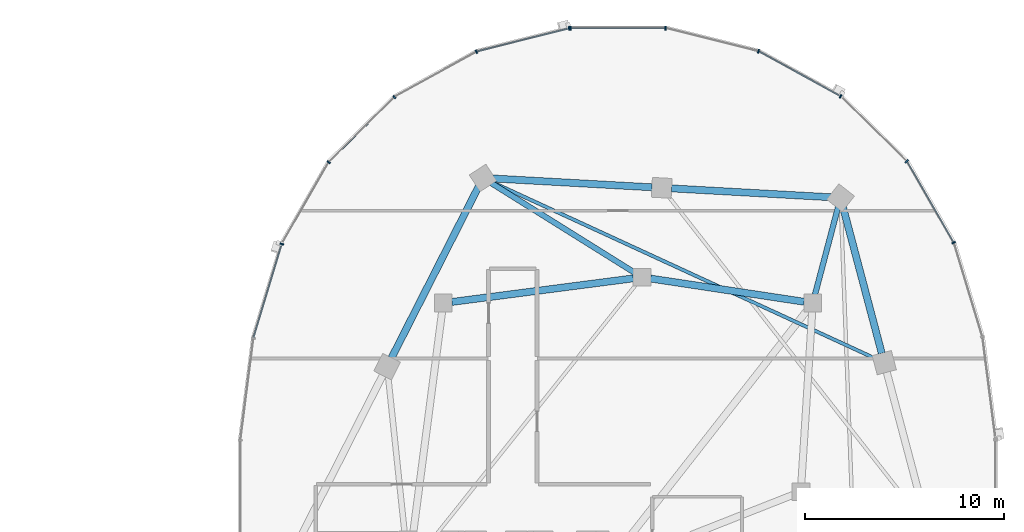
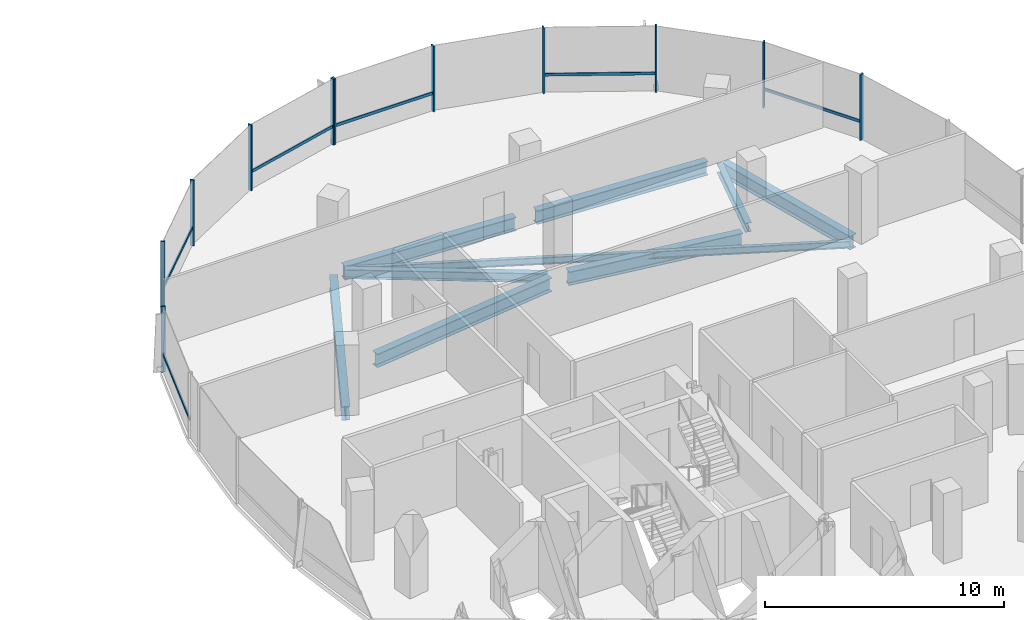
# One storey, part 9 of 23: 17 members, 9 beams, 2 elements without a shape of their own.
"""IFC4 building model written with IfcOpenShell, lengths in metres."""

from ifc_helpers import new_model, si_unit, direction, frame, origin, origin_2d, place, context, subcontext, project, spatial, rectangle, i_section, extrude, material, material_profile, profile_set, type_object, element, aggregate, save


model = new_model("IFC4")

# Units and contexts
model_context = context("Model", 3, precision=1e-05, world=origin(), true_north=direction((0.0, 1.0)))
body_context = subcontext(model_context, "Body", "Model", "MODEL_VIEW")
ifc_project = project(units=[si_unit("LENGTHUNIT", "METRE"), si_unit("AREAUNIT", "SQUARE_METRE"), si_unit("VOLUMEUNIT", "CUBIC_METRE"), si_unit("PLANEANGLEUNIT", "RADIAN"), si_unit("MASSUNIT", "GRAM", prefix="KILO"), si_unit("THERMODYNAMICTEMPERATUREUNIT", "KELVIN"), si_unit("POWERUNIT", "WATT")], contexts=[model_context])

# Site, building, storey
site_placement = place(None, origin())
site = spatial("IfcSite", under=ifc_project, at=site_placement, CompositionType="ELEMENT")
building_placement = place(site_placement, origin())
building = spatial("IfcBuilding", under=site, at=building_placement, Name="Cundina Bronze Exchange", CompositionType="ELEMENT")
storey_placement = place(building_placement, frame((0.0, 0.0, 172.800048828125)))
storey = spatial("IfcBuildingStorey", under=building, at=storey_placement, Name="L45", CompositionType="ELEMENT", Elevation=172.800048828125)

# Beams
ifc_material_1 = material(Name="Steel ASTM A992 Grade 50", Category="steel")
ifc_material_profile_1 = material_profile(ifc_material_1, i_section(OverallWidth=0.280029296875, OverallDepth=0.462890625, WebThickness=0.0107421875, FlangeThickness=0.017333984375, FilletRadius=0.011962890625, at=origin_2d()), Name="W18X76", Category="steel")
ifc_profile_set_1 = profile_set([ifc_material_profile_1], Name="Steel ASTM A992 Grade 50")
beam_type_1 = type_object("IfcBeamType", Name="BM-FLR-W18A", PredefinedType="BEAM", material=ifc_profile_set_1)
beam_1_placement = place(storey_placement, frame((41.911865234375, 9.923583984375, -0.471435546875), z_axis=(0.255413807463, 0.966831829719, 0.0), x_axis=(-0.966831829719, 0.255413807463, 0.0)))
element("IfcBeam", 1, at=beam_1_placement, inside=storey, type_object=beam_type_1, Name="L45 Leg E Chordal Floor Beam 10", PredefinedType="BEAM", context=body_context, shape_type="SweptSolid", body=[
    extrude(i_section(OverallWidth=0.280029296875, OverallDepth=0.462890625, WebThickness=0.0107421875, FlangeThickness=0.017333984375, FilletRadius=0.011962890625, at=origin_2d()), origin(), (0.0, 0.0, 1.0), 4.5556640625),
])
beam_2_placement = place(storey_placement, frame((32.82861328125, 11.031982421875, -0.471435546875), z_axis=(-0.847985407265, 0.530019574228, 0.0), x_axis=(-0.530019574228, -0.847985407265, 0.0)))
element("IfcBeam", 2, at=beam_2_placement, inside=storey, type_object=beam_type_1, Name="L45 Leg E Chordal Floor Beam 12", PredefinedType="BEAM", context=body_context, shape_type="SweptSolid", body=[
    extrude(i_section(OverallWidth=0.280029296875, OverallDepth=0.462890625, WebThickness=0.0107421875, FlangeThickness=0.017333984375, FilletRadius=0.011962890625, at=origin_2d()), origin(), (0.0, 0.0, 1.0), 8.50830078125),
])
ifc_material_profile_2 = material_profile(ifc_material_1, i_section(OverallWidth=0.172119140625, OverallDepth=0.35791015625, WebThickness=0.0078125, FlangeThickness=0.01318359375, FilletRadius=0.010009765625, at=origin_2d()), Name="W14X38", Category="steel")
ifc_profile_set_2 = profile_set([ifc_material_profile_2], Name="Steel ASTM A992 Grade 50")
beam_type_2 = type_object("IfcBeamType", Name="BM-JST-W14", PredefinedType="JOIST", material=ifc_profile_set_2)
beam_3_placement = place(storey_placement, frame((44.956787109375, 6.7041015625, -0.4189453125), z_axis=(-0.908353865734, 0.418202408655, 0.0), x_axis=(-0.418202408655, -0.908353865734, 0.0)))
element("IfcBeam", 3, at=beam_3_placement, inside=storey, type_object=beam_type_2, Name="L45 Leg E Lobe Floor Joist 09-12", PredefinedType="JOIST", context=body_context, shape_type="SweptSolid", body=[
    extrude(i_section(OverallWidth=0.172119140625, OverallDepth=0.35791015625, WebThickness=0.0078125, FlangeThickness=0.01318359375, FilletRadius=0.010009765625, at=origin_2d()), origin(), (0.0, 0.0, 1.0), 21.261962890625),
])
ifc_material_profile_3 = material_profile(ifc_material_1, i_section(OverallWidth=0.35498046875, OverallDepth=0.695068359375, WebThickness=0.015380859375, FlangeThickness=0.02490234375, FilletRadius=0.01806640625, at=origin_2d()), Name="W27X146", Category="steel")
ifc_profile_set_3 = profile_set([ifc_material_profile_3], Name="Steel ASTM A992 Grade 50")
beam_type_3 = type_object("IfcBeamType", Name="BM-RING-W27", PredefinedType="USERDEFINED", material=ifc_profile_set_3)
beam_4_placement = place(storey_placement, frame((41.366943359375, 9.5654296875, -0.587646484375), z_axis=(-0.988764903598, 0.149478979839, 0.0), x_axis=(-0.149478979839, -0.988764903598, 0.0)))
element("IfcBeam", 4, at=beam_4_placement, inside=storey, type_object=beam_type_3, Name="L45 E Inner Structural Ring Girder 05", ObjectType="GIRDER", PredefinedType="USERDEFINED", context=body_context, shape_type="SweptSolid", body=[
    extrude(i_section(OverallWidth=0.35498046875, OverallDepth=0.695068359375, WebThickness=0.015380859375, FlangeThickness=0.02490234375, FilletRadius=0.01806640625, at=origin_2d()), origin(), (0.0, 0.0, 1.0), 7.82177734375),
])
beam_5_placement = place(storey_placement, frame((32.765625, 10.743408203125, -0.587646484375), z_axis=(-0.991656498582, -0.128908451316, 0.0), x_axis=(0.128908451316, -0.991656498582, 0.0)))
element("IfcBeam", 5, at=beam_5_placement, inside=storey, type_object=beam_type_3, Name="L45 E Inner Structural Ring Girder 06", ObjectType="GIRDER", PredefinedType="USERDEFINED", context=body_context, shape_type="SweptSolid", body=[
    extrude(i_section(OverallWidth=0.35498046875, OverallDepth=0.695068359375, WebThickness=0.015380859375, FlangeThickness=0.02490234375, FilletRadius=0.01806640625, at=origin_2d()), origin(), (0.0, 0.0, 1.0), 9.208251953125),
])
beam_6_placement = place(storey_placement, frame((45.27490234375, 6.9716796875, -0.587646484375), z_axis=(-0.256210841755, 0.96662092082, 0.0), x_axis=(-0.96662092082, -0.256210841755, 0.0)))
element("IfcBeam", 6, at=beam_6_placement, inside=storey, type_object=beam_type_3, Name="L45 E Perimeter Ring Girder 09", ObjectType="GIRDER", PredefinedType="USERDEFINED", context=body_context, shape_type="SweptSolid", body=[
    extrude(i_section(OverallWidth=0.35498046875, OverallDepth=0.695068359375, WebThickness=0.015380859375, FlangeThickness=0.02490234375, FilletRadius=0.01806640625, at=origin_2d()), origin(), (0.0, 0.0, 1.0), 7.61083984375),
])
for number, where, z_axis, x_axis, name in (
    (7, (42.712890625, 14.8271484375, -0.587646484375), (-0.998460820451, 0.055461608559, 0.0), (-0.055461608559, -0.998460820451, 0.0), "L45 E Perimeter Ring Girder 10"),
    (8, (33.712890625, 15.3271484375, -0.587646484375), (-0.998460820451, 0.055461608559, 0.0), (-0.055461608559, -0.998460820451, 0.0), "L45 E Perimeter Ring Girder 11"),
):
    element("IfcBeam", number, at=place(storey_placement, frame(where, z_axis=z_axis, x_axis=x_axis)), inside=storey, type_object=beam_type_3, Name=name, ObjectType="GIRDER", PredefinedType="USERDEFINED", context=body_context, shape_type="SweptSolid", body=[
        extrude(i_section(OverallWidth=0.35498046875, OverallDepth=0.695068359375, WebThickness=0.015380859375, FlangeThickness=0.02490234375, FilletRadius=0.01806640625, at=origin_2d()), origin(), (0.0, 0.0, 1.0), 8.0380859375),
    ])
beam_7_placement = place(storey_placement, frame((24.97900390625, 15.364990234375, -0.587646484375), z_axis=(-0.452834585354, -0.891594548159, 0.0), x_axis=(0.891594548159, -0.452834585354, 0.0)))
element("IfcBeam", 9, at=beam_7_placement, inside=storey, type_object=beam_type_3, Name="L45 E Perimeter Ring Girder 12", ObjectType="GIRDER", PredefinedType="USERDEFINED", context=body_context, shape_type="SweptSolid", body=[
    extrude(i_section(OverallWidth=0.35498046875, OverallDepth=0.695068359375, WebThickness=0.015380859375, FlangeThickness=0.02490234375, FilletRadius=0.01806640625, at=origin_2d()), origin(), (0.0, 0.0, 1.0), 9.67919921875),
])

# Curtain wall, members
ifc_material_2 = material(Name="Anodised Bronze Aluminium 6063-T6", Category="aluminium")
curtain_wall_type = type_object("IfcCurtainWallType", Name="CWS-WST-PIN", PredefinedType="NOTDEFINED", material=ifc_material_2)
curtain_wall_1_placement = place(storey_placement, origin())
curtain_wall_1 = element("IfcCurtainWall", 10, at=curtain_wall_1_placement, inside=storey, type_object=curtain_wall_type, Name="L45 CW-04 Curtain Wall Run CWR-L45-E1", PredefinedType="NOTDEFINED")
ifc_material_profile_4 = material_profile(ifc_material_2, rectangle(XDim=0.070068359375, YDim=0.18994140625, at=origin_2d()), Name="AL70X190", Category="aluminium")
ifc_profile_set_4 = profile_set([ifc_material_profile_4], Name="Anodised Bronze Aluminium 6063-T6")
member_type_1 = type_object("IfcMemberType", Name="CWM-MUL-190", PredefinedType="MULLION", material=ifc_profile_set_4)
member_1_placement = place(storey_placement, frame((48.89794921875, 12.541259765625, 0.0), z_axis=(0.0, 0.0, 1.0), x_axis=(-0.498487739754, 0.866896748936, 0.0)))
member_1 = element("IfcMember", 11, at=member_1_placement, type_object=member_type_1, Name="CW-04 Mullion 3", PredefinedType="MULLION", context=body_context, shape_type="SweptSolid", body=[
    extrude(rectangle(XDim=0.070068359375, YDim=0.18994140625, at=origin_2d()), origin(), (0.0, 0.0, 1.0), 3.35986328125),
])
member_2_placement = place(storey_placement, frame((46.530517578125, 16.640380859375, 0.0), z_axis=(0.0, 0.0, 1.0), x_axis=(-0.712026045991, 0.702153052995, 0.0)))
member_2 = element("IfcMember", 12, at=member_2_placement, type_object=member_type_1, Name="CW-04 Mullion 4", PredefinedType="MULLION", context=body_context, shape_type="SweptSolid", body=[
    extrude(rectangle(XDim=0.070068359375, YDim=0.18994140625, at=origin_2d()), origin(), (0.0, 0.0, 1.0), 3.35986328125),
])
member_3_placement = place(storey_placement, frame((43.20654296875, 19.906005859375, 0.0), z_axis=(0.0, 0.0, 1.0), x_axis=(-0.875885937035, 0.482518212408, 0.0)))
member_3 = element("IfcMember", 13, at=member_3_placement, type_object=member_type_1, Name="CW-04 Mullion 5", PredefinedType="MULLION", context=body_context, shape_type="SweptSolid", body=[
    extrude(rectangle(XDim=0.070068359375, YDim=0.18994140625, at=origin_2d()), origin(), (0.0, 0.0, 1.0), 3.35986328125),
])
member_4_placement = place(storey_placement, frame((39.067626953125, 22.17626953125, 0.0), z_axis=(0.0, 0.0, 1.0), x_axis=(-0.970084240161, 0.242768546132, 0.0)))
member_4 = element("IfcMember", 14, at=member_4_placement, type_object=member_type_1, Name="CW-04 Mullion 6", PredefinedType="MULLION", context=body_context, shape_type="SweptSolid", body=[
    extrude(rectangle(XDim=0.070068359375, YDim=0.18994140625, at=origin_2d()), origin(), (0.0, 0.0, 1.0), 3.35986328125),
])
member_5_placement = place(storey_placement, frame((34.39404296875, 23.3369140625, 0.0), z_axis=(0.0, 0.0, 1.0), x_axis=(-1.0, 0.0, 0.0)))
member_5 = element("IfcMember", 15, at=member_5_placement, type_object=member_type_1, Name="CW-04 Mullion 7", PredefinedType="MULLION", context=body_context, shape_type="SweptSolid", body=[
    extrude(rectangle(XDim=0.070068359375, YDim=0.18994140625, at=origin_2d()), origin(), (0.0, 0.0, 1.0), 3.35986328125),
])
member_6_placement = place(storey_placement, frame((29.60595703125, 23.3369140625, 0.0), z_axis=(0.0, 0.0, 1.0), x_axis=(-1.0, 0.0, 0.0)))
member_6 = element("IfcMember", 16, at=member_6_placement, type_object=member_type_1, Name="CW-04 End Mullion", PredefinedType="MULLION", context=body_context, shape_type="SweptSolid", body=[
    extrude(rectangle(XDim=0.070068359375, YDim=0.18994140625, at=origin_2d()), origin(), (0.0, 0.0, 1.0), 3.35986328125),
])

curtain_wall_2_placement = place(storey_placement, origin())
curtain_wall_2 = element("IfcCurtainWall", 17, at=curtain_wall_2_placement, inside=storey, type_object=curtain_wall_type, Name="L45 CW-04 Curtain Wall Run CWR-L45-E2", PredefinedType="NOTDEFINED")
member_7_placement = place(storey_placement, frame((29.537353515625, 23.32861328125, 0.0), z_axis=(0.0, 0.0, 1.0), x_axis=(-0.970084240161, -0.242768546132, 0.0)))
member_7 = element("IfcMember", 18, at=member_7_placement, type_object=member_type_1, Name="CW-04 Mullion 1", PredefinedType="MULLION", context=body_context, shape_type="SweptSolid", body=[
    extrude(rectangle(XDim=0.070068359375, YDim=0.18994140625, at=origin_2d()), origin(), (0.0, 0.0, 1.0), 3.35986328125),
])
member_8_placement = place(storey_placement, frame((24.86962890625, 22.151611328125, 0.0), z_axis=(0.0, 0.0, 1.0), x_axis=(-0.875885937035, -0.482518212408, 0.0)))
member_8 = element("IfcMember", 19, at=member_8_placement, type_object=member_type_1, Name="CW-04 Mullion 2", PredefinedType="MULLION", context=body_context, shape_type="SweptSolid", body=[
    extrude(rectangle(XDim=0.070068359375, YDim=0.18994140625, at=origin_2d()), origin(), (0.0, 0.0, 1.0), 3.35986328125),
])
member_9_placement = place(storey_placement, frame((20.740966796875, 19.86669921875, 0.0), z_axis=(0.0, 0.0, 1.0), x_axis=(-0.712026045991, -0.702153052995, 0.0)))
member_9 = element("IfcMember", 20, at=member_9_placement, type_object=member_type_1, Name="CW-04 Mullion 3", PredefinedType="MULLION", context=body_context, shape_type="SweptSolid", body=[
    extrude(rectangle(XDim=0.070068359375, YDim=0.18994140625, at=origin_2d()), origin(), (0.0, 0.0, 1.0), 3.35986328125),
])
member_10_placement = place(storey_placement, frame((17.42919921875, 16.588134765625, 0.0), z_axis=(0.0, 0.0, 1.0), x_axis=(-0.498487739754, -0.866896748936, 0.0)))
member_10 = element("IfcMember", 21, at=member_10_placement, type_object=member_type_1, Name="CW-04 Mullion 4", PredefinedType="MULLION", context=body_context, shape_type="SweptSolid", body=[
    extrude(rectangle(XDim=0.070068359375, YDim=0.18994140625, at=origin_2d()), origin(), (0.0, 0.0, 1.0), 3.35986328125),
])
member_11_placement = place(storey_placement, frame((15.07373046875, 12.4755859375, 0.0), z_axis=(0.0, 0.0, 1.0), x_axis=(-0.290034140915, -0.957016299288, 0.0)))
member_11 = element("IfcMember", 22, at=member_11_placement, type_object=member_type_1, Name="CW-04 Mullion 5", PredefinedType="MULLION", context=body_context, shape_type="SweptSolid", body=[
    extrude(rectangle(XDim=0.070068359375, YDim=0.18994140625, at=origin_2d()), origin(), (0.0, 0.0, 1.0), 3.35986328125),
])

# Member
ifc_material_profile_5 = material_profile(ifc_material_2, rectangle(XDim=0.06494140625, YDim=0.14990234375, at=origin_2d()), Name="AL65X150", Category="aluminium")
ifc_profile_set_5 = profile_set([ifc_material_profile_5], Name="Anodised Bronze Aluminium 6063-T6")
member_type_2 = type_object("IfcMemberType", Name="CWM-TRN-150", PredefinedType="USERDEFINED", material=ifc_profile_set_5)
member_12_placement = place(storey_placement, frame((48.878662109375, 12.574462890625, 0.919921875), z_axis=(-0.498479967047, 0.866901218394, 0.0), x_axis=(-0.866901218394, -0.498479967047, 0.0)))
member_12 = element("IfcMember", 23, at=member_12_placement, type_object=member_type_2, Name="CW-04 Spandrel Transom 3", ObjectType="TRANSOM", PredefinedType="USERDEFINED", context=body_context, shape_type="SweptSolid", body=[
    extrude(rectangle(XDim=0.06494140625, YDim=0.14990234375, at=origin_2d()), origin(), (0.0, 0.0, 1.0), 4.66845703125),
])

member_13_placement = place(storey_placement, frame((43.1728515625, 19.924560546875, 0.919921875), z_axis=(-0.875878981549, 0.482530838062, 0.0), x_axis=(-0.482530838062, -0.875878981549, 0.0)))
member_13 = element("IfcMember", 24, at=member_13_placement, type_object=member_type_2, Name="CW-04 Spandrel Transom 5", ObjectType="TRANSOM", PredefinedType="USERDEFINED", context=body_context, shape_type="SweptSolid", body=[
    extrude(rectangle(XDim=0.06494140625, YDim=0.14990234375, at=origin_2d()), origin(), (0.0, 0.0, 1.0), 4.65380859375),
])

member_14_placement = place(storey_placement, frame((34.35546875, 23.3369140625, 0.919921875), z_axis=(-1.0, 0.0, 0.0), x_axis=(0.0, -1.0, 0.0)))
member_14 = element("IfcMember", 25, at=member_14_placement, type_object=member_type_2, Name="CW-04 Spandrel Transom 7", ObjectType="TRANSOM", PredefinedType="USERDEFINED", context=body_context, shape_type="SweptSolid", body=[
    extrude(rectangle(XDim=0.06494140625, YDim=0.14990234375, at=origin_2d()), origin(), (0.0, 0.0, 1.0), 4.7109375),
])

aggregate(curtain_wall_1, [member_1, member_12, member_2, member_3, member_13, member_4, member_5, member_6, member_14])

member_15_placement = place(storey_placement, frame((29.5, 23.319091796875, 0.919921875), z_axis=(-0.970100130035, -0.242705042606, 0.0), x_axis=(0.242705042606, -0.970100130035, 0.0)))
member_15 = element("IfcMember", 26, at=member_15_placement, type_object=member_type_2, Name="CW-04 Spandrel Transom 1", ObjectType="TRANSOM", PredefinedType="USERDEFINED", context=body_context, shape_type="SweptSolid", body=[
    extrude(rectangle(XDim=0.06494140625, YDim=0.14990234375, at=origin_2d()), origin(), (0.0, 0.0, 1.0), 4.746826171875),
])

member_16_placement = place(storey_placement, frame((20.71337890625, 19.839599609375, 0.919921875), z_axis=(-0.712005023839, -0.702174370102, 0.0), x_axis=(0.702174370102, -0.712005023839, 0.0)))
member_16 = element("IfcMember", 27, at=member_16_placement, type_object=member_type_2, Name="CW-04 Spandrel Transom 3", ObjectType="TRANSOM", PredefinedType="USERDEFINED", context=body_context, shape_type="SweptSolid", body=[
    extrude(rectangle(XDim=0.06494140625, YDim=0.14990234375, at=origin_2d()), origin(), (0.0, 0.0, 1.0), 4.594482421875),
])

member_17_placement = place(storey_placement, frame((15.062744140625, 12.43896484375, 0.919921875), z_axis=(-0.290051855969, -0.957010930371, 0.0), x_axis=(0.957010930371, -0.290051855969, 0.0)))
member_17 = element("IfcMember", 28, at=member_17_placement, type_object=member_type_2, Name="CW-04 Spandrel Transom 5", ObjectType="TRANSOM", PredefinedType="USERDEFINED", context=body_context, shape_type="SweptSolid", body=[
    extrude(rectangle(XDim=0.06494140625, YDim=0.14990234375, at=origin_2d()), origin(), (0.0, 0.0, 1.0), 4.876953125),
])

aggregate(curtain_wall_2, [member_7, member_15, member_8, member_9, member_16, member_10, member_11, member_17])

save(model, "model.ifc")
